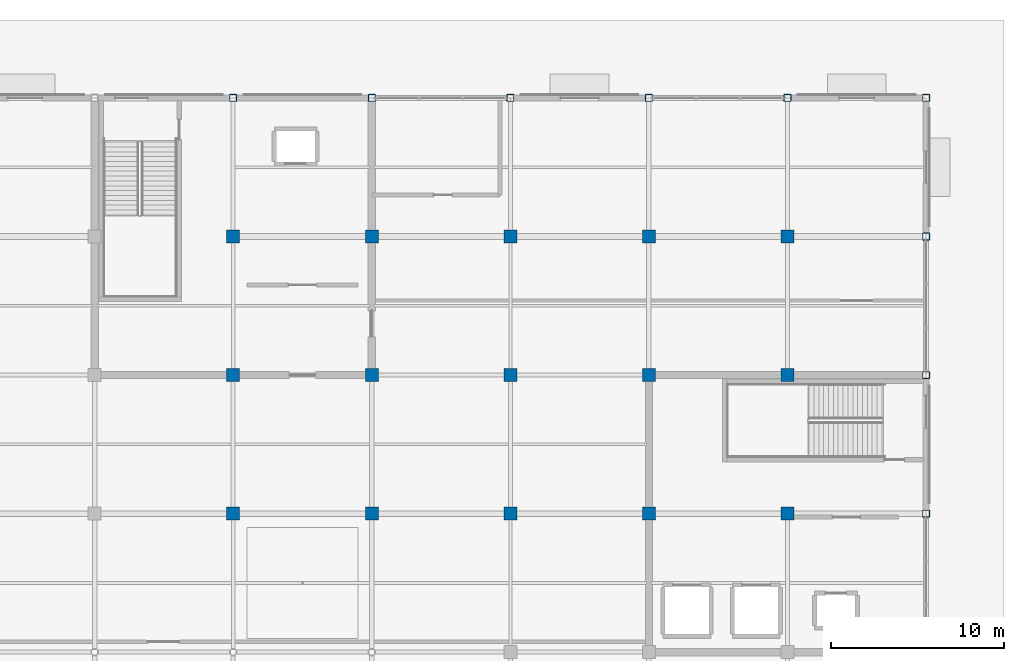
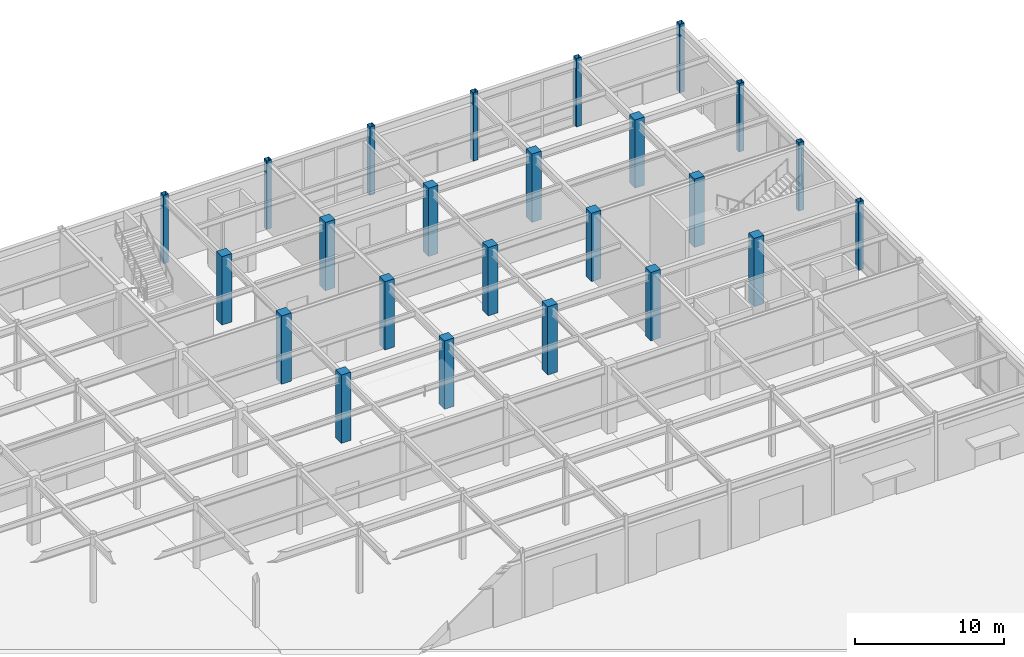
# One storey, part 31 of 128: 24 columns.
"""IFC4 building model written with IfcOpenShell, lengths in metres."""

from ifc_helpers import new_model, si_unit, direction, frame, origin, origin_2d, place, context, subcontext, project, spatial, rectangle, hollow_rectangle, extrude, material, material_profile, profile_set, type_object, element, save


model = new_model("IFC4")

# Units and contexts
model_context = context("Model", 3, precision=1e-05, world=origin(), true_north=direction((0.0, 1.0)))
body_context = subcontext(model_context, "Body", "Model", "MODEL_VIEW")
ifc_project = project(units=[si_unit("LENGTHUNIT", "METRE"), si_unit("AREAUNIT", "SQUARE_METRE"), si_unit("VOLUMEUNIT", "CUBIC_METRE"), si_unit("PLANEANGLEUNIT", "RADIAN"), si_unit("MASSUNIT", "GRAM", prefix="KILO")], contexts=[model_context])

# Site, building, storey
site_placement = place(None, origin())
site = spatial("IfcSite", under=ifc_project, at=site_placement, CompositionType="ELEMENT")
building_placement = place(site_placement, origin())
building = spatial("IfcBuilding", under=site, at=building_placement, Name="Solmirada Galleria", CompositionType="ELEMENT")
storey_placement = place(building_placement, origin())
storey = spatial("IfcBuildingStorey", under=building, at=storey_placement, Name="L00", CompositionType="ELEMENT", Elevation=0.0)

# Columns
ifc_material_1 = material(Name="Steel S355 / ASTM A500 Grade C", Category="steel")
ifc_material_profile_1 = material_profile(ifc_material_1, hollow_rectangle(XDim=0.406005859375, YDim=0.406005859375, WallThickness=0.0146484375, InnerFilletRadius=0.0146484375, OuterFilletRadius=0.029296875, at=origin_2d()), Name="HSS16X16X5/8")
ifc_profile_set_1 = profile_set([ifc_material_profile_1], Name="Steel S355 / ASTM A500 Grade C")
column_type_1 = type_object("IfcColumnType", Name="COL-HSS16", PredefinedType="COLUMN", material=ifc_profile_set_1)
for number, where, z_axis, x_axis, name in (
    (1, (136.0, 120.0, 0.0), (0.0, 0.0, 1.0), (1.0, 0.0, 0.0), "Structural column L00-1197"),
    (2, (144.0, 120.0, 0.0), (0.0, 0.0, 1.0), (1.0, 0.0, 0.0), "Structural column L00-1283"),
    (3, (152.0, 120.0, 0.0), (0.0, 0.0, 1.0), (1.0, 0.0, 0.0), "Structural column L00-1356"),
    (4, (160.0, 120.0, 0.0), (0.0, 0.0, 1.0), (1.0, 0.0, 0.0), "Structural column L00-1429"),
    (5, (168.0, 120.0, 0.0), (0.0, 0.0, 1.0), (1.0, 0.0, 0.0), "Structural column L00-1502"),
    (6, (176.0, 96.0, 0.0), (0.0, 0.0, 1.0), (1.0, 0.0, 0.0), "Structural column L00-1548"),
    (7, (176.0, 104.0, 0.0), (0.0, 0.0, 1.0), (1.0, 0.0, 0.0), "Structural column L00-1557"),
    (8, (176.0, 112.0, 0.0), (0.0, 0.0, 1.0), (1.0, 0.0, 0.0), "Structural column L00-1566"),
    (9, (176.0, 120.0, 0.0), (0.0, 0.0, 1.0), (1.0, 0.0, 0.0), "Structural column L00-1575"),
):
    element("IfcColumn", number, at=place(storey_placement, frame(where, z_axis=z_axis, x_axis=x_axis)), inside=storey, type_object=column_type_1, Name=name, PredefinedType="COLUMN", context=body_context, shape_type="SweptSolid", body=[
        extrude(hollow_rectangle(XDim=0.406005859375, YDim=0.406005859375, WallThickness=0.0146484375, InnerFilletRadius=0.0146484375, OuterFilletRadius=0.029296875, at=origin_2d()), origin(), (0.0, 0.0, 1.0), 5.60009765625),
    ])
ifc_material_2 = material(Name="Concrete C40/50", Category="concrete")
ifc_material_profile_2 = material_profile(ifc_material_2, rectangle(XDim=0.75, YDim=0.75, at=origin_2d()), Name="RC750X750")
ifc_profile_set_2 = profile_set([ifc_material_profile_2], Name="Concrete C40/50")
column_type_2 = type_object("IfcColumnType", Name="COL-RC750", PredefinedType="COLUMN", material=ifc_profile_set_2)
for number, where, z_axis, x_axis, name in (
    (10, (136.0, 96.0, 0.0), (0.0, 0.0, 1.0), (1.0, 0.0, 0.0), "Structural column L00-1170"),
    (11, (136.0, 104.0, 0.0), (0.0, 0.0, 1.0), (1.0, 0.0, 0.0), "Structural column L00-1179"),
    (12, (136.0, 112.0, 0.0), (0.0, 0.0, 1.0), (1.0, 0.0, 0.0), "Structural column L00-1188"),
    (13, (144.0, 96.0, 0.0), (0.0, 0.0, 1.0), (1.0, 0.0, 0.0), "Structural column L00-1256"),
    (14, (144.0, 104.0, 0.0), (0.0, 0.0, 1.0), (1.0, 0.0, 0.0), "Structural column L00-1265"),
    (15, (144.0, 112.0, 0.0), (0.0, 0.0, 1.0), (1.0, 0.0, 0.0), "Structural column L00-1274"),
    (16, (152.0, 96.0, 0.0), (0.0, 0.0, 1.0), (1.0, 0.0, 0.0), "Structural column L00-1329"),
    (17, (152.0, 104.0, 0.0), (0.0, 0.0, 1.0), (1.0, 0.0, 0.0), "Structural column L00-1338"),
    (18, (152.0, 112.0, 0.0), (0.0, 0.0, 1.0), (1.0, 0.0, 0.0), "Structural column L00-1347"),
    (19, (160.0, 96.0, 0.0), (0.0, 0.0, 1.0), (1.0, 0.0, 0.0), "Structural column L00-1402"),
    (20, (160.0, 104.0, 0.0), (0.0, 0.0, 1.0), (1.0, 0.0, 0.0), "Structural column L00-1411"),
    (21, (160.0, 112.0, 0.0), (0.0, 0.0, 1.0), (1.0, 0.0, 0.0), "Structural column L00-1420"),
    (22, (168.0, 96.0, 0.0), (0.0, 0.0, 1.0), (1.0, 0.0, 0.0), "Structural column L00-1475"),
    (23, (168.0, 104.0, 0.0), (0.0, 0.0, 1.0), (1.0, 0.0, 0.0), "Structural column L00-1484"),
    (24, (168.0, 112.0, 0.0), (0.0, 0.0, 1.0), (1.0, 0.0, 0.0), "Structural column L00-1493"),
):
    element("IfcColumn", number, at=place(storey_placement, frame(where, z_axis=z_axis, x_axis=x_axis)), inside=storey, type_object=column_type_2, Name=name, PredefinedType="COLUMN", context=body_context, shape_type="SweptSolid", body=[
        extrude(rectangle(XDim=0.75, YDim=0.75, at=origin_2d()), origin(), (0.0, 0.0, 1.0), 5.60009765625),
    ])

save(model, "model.ifc")
